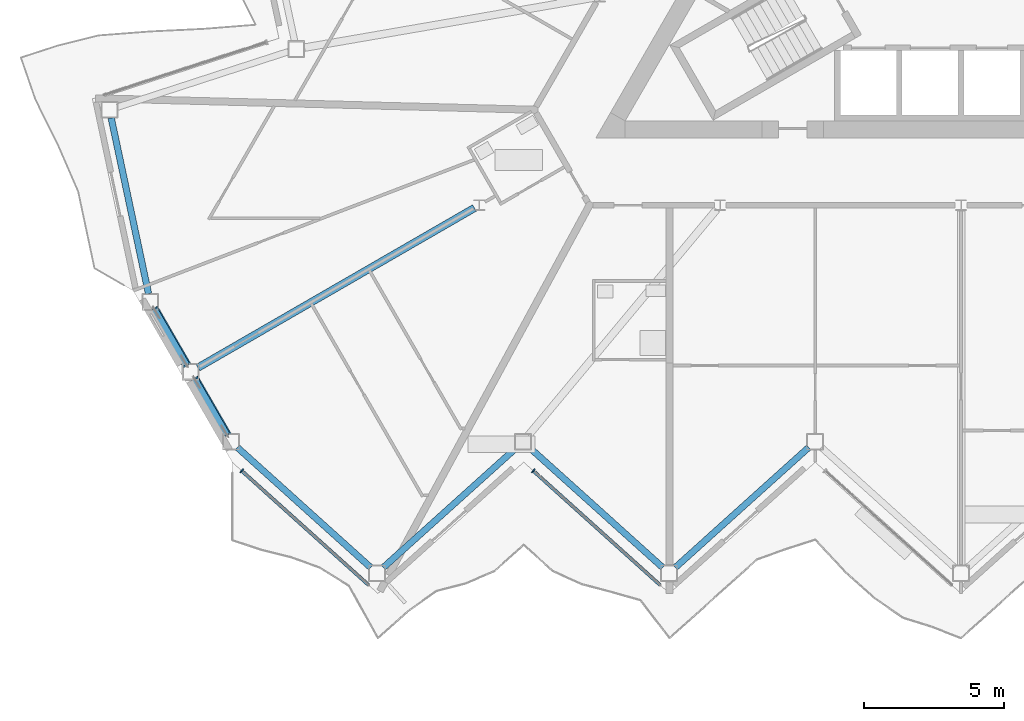
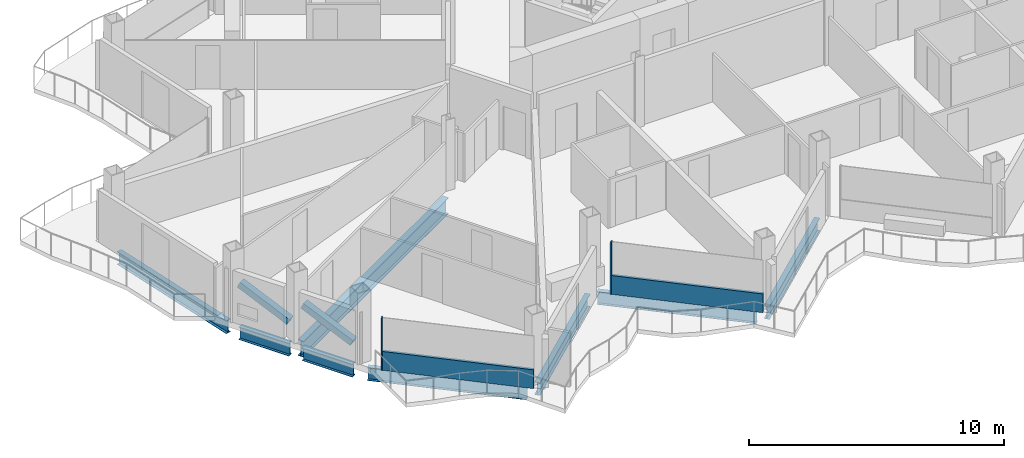
# One storey, part 4 of 28: 8 beams, 6 members, 2 elements without a shape of their own.
"""IFC4 building model written with IfcOpenShell, lengths in metres."""

from ifc_helpers import new_model, si_unit, direction, frame, origin, origin_2d, place, context, subcontext, project, spatial, rectangle, hollow_rectangle, i_section, extrude, material, layer, layer_set, material_profile, profile_set, type_object, element, aggregate, save


model = new_model("IFC4")

# Units and contexts
model_context = context("Model", 3, precision=1e-05, world=origin(), true_north=direction((0.0, 1.0)))
body_context = subcontext(model_context, "Body", "Model", "MODEL_VIEW")
ifc_project = project(units=[si_unit("LENGTHUNIT", "METRE"), si_unit("AREAUNIT", "SQUARE_METRE"), si_unit("VOLUMEUNIT", "CUBIC_METRE"), si_unit("PLANEANGLEUNIT", "RADIAN"), si_unit("MASSUNIT", "GRAM", prefix="KILO")], contexts=[model_context])

# Site, building, storey
site_placement = place(None, origin())
site = spatial("IfcSite", under=ifc_project, at=site_placement, CompositionType="ELEMENT")
building_placement = place(site_placement, origin())
building = spatial("IfcBuilding", under=site, at=building_placement, Name="Cormorant Prow Tower", CompositionType="ELEMENT")
storey_placement = place(building_placement, frame((0.0, 0.0, 308.60009765625)))
storey = spatial("IfcBuildingStorey", under=building, at=storey_placement, Name="L67", CompositionType="ELEMENT", Elevation=308.60009765625)

# Members
ifc_material_1 = material(Name="Structural steel ASTM A500 Gr C", Category="steel")
ifc_material_profile_1 = material_profile(ifc_material_1, hollow_rectangle(XDim=0.3046875, YDim=0.3046875, WallThickness=0.01171875, at=origin_2d()), Name="HSS12x12x1/2")
ifc_profile_set_1 = profile_set([ifc_material_profile_1], Name="Structural steel ASTM A500 Gr C")
member_type_1 = type_object("IfcMemberType", Name="Chamfer brace HSS12x12x1/2", PredefinedType="BRACE", material=ifc_profile_set_1)
for number, where, z_axis, x_axis, name in (
    (1, (-27.589599609375, -15.5654296875, 0.740966796875), (-0.456247183882, 0.790292391402, 0.408994429415), (-0.866038851724, -0.499976706761, 0.0), "Chamfer brace BR3 at WSW00 L67"),
    (2, (-26.15283203125, -18.05419921875, 0.740966796875), (-0.456247183882, 0.790292391402, 0.408994429415), (-0.866038851724, -0.499976706761, 0.0), "Chamfer brace BR3 at WSW01 L67"),
):
    element("IfcMember", number, at=place(storey_placement, frame(where, z_axis=z_axis, x_axis=x_axis)), inside=storey, type_object=member_type_1, Name=name, PredefinedType="BRACE", context=body_context, shape_type="SweptSolid", body=[
        extrude(hollow_rectangle(XDim=0.3046875, YDim=0.3046875, WallThickness=0.01171875, at=origin_2d()), origin(), (0.0, 0.0, 1.0), 2.459228515625),
    ])

# Beam
ifc_material_2 = material(Name="Structural steel ASTM A992 Gr 50", Category="steel")
ifc_material_profile_2 = material_profile(ifc_material_2, i_section(OverallWidth=0.267822265625, OverallDepth=0.77001953125, WebThickness=0.015625, FlangeThickness=0.025390625, at=origin_2d()), Name="W30x132")
ifc_profile_set_2 = profile_set([ifc_material_profile_2], Name="Structural steel ASTM A992 Gr 50")
beam_type_1 = type_object("IfcBeamType", Name="Radial floor beam W30x132", PredefinedType="BEAM", material=ifc_profile_set_2)
beam_1_placement = place(storey_placement, frame((-17.328125, -10.00439453125, -0.68505859375), z_axis=(-0.866024637028, -0.500001328059, 0.0), x_axis=(0.500001328059, -0.866024637028, 0.0)))
element("IfcBeam", 3, at=beam_1_placement, inside=storey, type_object=beam_type_1, Name="Radial floor beam FB3 5 L67", PredefinedType="BEAM", context=body_context, shape_type="SweptSolid", body=[
    extrude(i_section(OverallWidth=0.267822265625, OverallDepth=0.77001953125, WebThickness=0.015625, FlangeThickness=0.025390625, at=origin_2d()), origin(), (0.0, 0.0, 1.0), 11.3671875),
])

# Curtain wall, member
ifc_material_3 = material(Name="Aluminium 6063-T6", Category="aluminium")
ifc_layer = layer(ifc_material_3, 0.159912109375)
ifc_layer_set = layer_set([ifc_layer], Name="Aluminium 6063-T6")
curtain_wall_type = type_object("IfcCurtainWallType", Name="Residential unitised curtain wall 160", PredefinedType="NOTDEFINED", material=ifc_layer_set)
curtain_wall_1_placement = place(storey_placement, origin())
curtain_wall_1 = element("IfcCurtainWall", 4, at=curtain_wall_1_placement, inside=storey, type_object=curtain_wall_type, Name="Residential curtain wall S00", PredefinedType="NOTDEFINED")
ifc_material_4 = material(Name="Aluminium 6063-T6", Category="aluminium")
ifc_material_profile_3 = material_profile(ifc_material_4, rectangle(XDim=0.159912109375, YDim=0.050048828125, at=origin_2d()), Name="Residential mullion 50x160")
ifc_profile_set_3 = profile_set([ifc_material_profile_3], Name="Aluminium 6063-T6")
member_type_2 = type_object("IfcMemberType", Name="Residential mullion 50x160", PredefinedType="MULLION", material=ifc_profile_set_3)
member_1_placement = place(storey_placement, frame((-25.613525390625, -19.362060546875, 0.0), z_axis=(0.0, 0.0, 1.0), x_axis=(0.669130584997, 0.743144844712, 0.0)))
member_1 = element("IfcMember", 5, at=member_1_placement, type_object=member_type_2, Name="Residential mullion S00", PredefinedType="MULLION", context=body_context, shape_type="SweptSolid", body=[
    extrude(rectangle(XDim=0.159912109375, YDim=0.050048828125, at=origin_2d()), origin(), (0.0, 0.0, 1.0), 2.48779296875),
])

curtain_wall_2_placement = place(storey_placement, origin())
curtain_wall_2 = element("IfcCurtainWall", 6, at=curtain_wall_2_placement, inside=storey, type_object=curtain_wall_type, Name="Residential curtain wall S02", PredefinedType="NOTDEFINED")
member_2_placement = place(storey_placement, frame((-15.231689453125, -19.362060546875, 0.0), z_axis=(0.0, 0.0, 1.0), x_axis=(0.669130584997, 0.743144844712, 0.0)))
member_2 = element("IfcMember", 7, at=member_2_placement, type_object=member_type_2, Name="Residential mullion S02", PredefinedType="MULLION", context=body_context, shape_type="SweptSolid", body=[
    extrude(rectangle(XDim=0.159912109375, YDim=0.050048828125, at=origin_2d()), origin(), (0.0, 0.0, 1.0), 2.48779296875),
])

# Member
ifc_material_5 = material(Name="Terracotta", Category="masonry")
ifc_material_profile_4 = material_profile(ifc_material_5, rectangle(XDim=0.1201171875, YDim=0.89990234375, at=origin_2d()), Name="Residential terracotta spandrel rail 120x900")
ifc_profile_set_4 = profile_set([ifc_material_profile_4], Name="Terracotta")
member_type_3 = type_object("IfcMemberType", Name="Residential terracotta spandrel rail 120x900", PredefinedType="USERDEFINED", material=ifc_profile_set_4)
member_3_placement = place(storey_placement, frame((-25.594970703125, -19.37890625, 0.449951171875), z_axis=(0.74315806971, -0.669115896856, 0.0), x_axis=(0.669115896856, 0.74315806971, 0.0)))
member_3 = element("IfcMember", 8, at=member_3_placement, type_object=member_type_3, Name="Residential spandrel rail S00", ObjectType="TRANSOM", PredefinedType="USERDEFINED", context=body_context, shape_type="SweptSolid", body=[
    extrude(rectangle(XDim=0.1201171875, YDim=0.89990234375, at=origin_2d()), origin(), (0.0, 0.0, 1.0), 6.067138671875),
])

aggregate(curtain_wall_1, [member_1, member_3])

member_4_placement = place(storey_placement, frame((-15.213134765625, -19.37890625, 0.449951171875), z_axis=(0.74315806971, -0.669115896856, 0.0), x_axis=(0.669115896856, 0.74315806971, 0.0)))
member_4 = element("IfcMember", 9, at=member_4_placement, type_object=member_type_3, Name="Residential spandrel rail S02", ObjectType="TRANSOM", PredefinedType="USERDEFINED", context=body_context, shape_type="SweptSolid", body=[
    extrude(rectangle(XDim=0.1201171875, YDim=0.89990234375, at=origin_2d()), origin(), (0.0, 0.0, 1.0), 6.067138671875),
])

aggregate(curtain_wall_2, [member_2, member_4])

# Beams
ifc_material_6 = material(Name="Structural steel ASTM A992 Gr 50", Category="steel")
ifc_material_profile_5 = material_profile(ifc_material_6, i_section(OverallWidth=0.22900390625, OverallDepth=0.612060546875, WebThickness=0.011962890625, FlangeThickness=0.01953125, at=origin_2d()), Name="W24x84")
ifc_profile_set_5 = profile_set([ifc_material_profile_5], Name="Structural steel ASTM A992 Gr 50")
beam_type_2 = type_object("IfcBeamType", Name="Spandrel beam W24x84", PredefinedType="SPANDREL", material=ifc_profile_set_5)
beam_2_placement = place(storey_placement, frame((-25.7724609375, -18.527587890625, -0.606201171875), z_axis=(0.743144186555, -0.669131315954, 0.0), x_axis=(0.669131315954, 0.743144186555, 0.0)))
element("IfcBeam", 10, at=beam_2_placement, inside=storey, type_object=beam_type_2, Name="Spandrel beam SB3 S00-S01 L67", PredefinedType="SPANDREL", context=body_context, shape_type="SweptSolid", body=[
    extrude(i_section(OverallWidth=0.22900390625, OverallDepth=0.612060546875, WebThickness=0.011962890625, FlangeThickness=0.01953125, at=origin_2d()), origin(), (0.0, 0.0, 1.0), 6.39599609375),
])
beam_3_placement = place(storey_placement, frame((-20.573486328125, -22.807373046875, -0.606201171875), z_axis=(0.743161276225, 0.669112335502, 0.0), x_axis=(-0.669112335502, 0.743161276225, 0.0)))
element("IfcBeam", 11, at=beam_3_placement, inside=storey, type_object=beam_type_2, Name="Spandrel beam SB3 S01-S02 L67", PredefinedType="SPANDREL", context=body_context, shape_type="SweptSolid", body=[
    extrude(i_section(OverallWidth=0.22900390625, OverallDepth=0.612060546875, WebThickness=0.011962890625, FlangeThickness=0.01953125, at=origin_2d()), origin(), (0.0, 0.0, 1.0), 6.396240234375),
])
for number, where, z_axis, x_axis, name in (
    (12, (-15.374267578125, -18.527587890625, -0.606201171875), (0.743144186555, -0.669131315954, 0.0), (0.669131315954, 0.743144186555, 0.0), "Spandrel beam SB3 S02-S03 L67"),
    (13, (-10.17529296875, -22.807373046875, -0.606201171875), (0.743144186555, 0.669131315954, 0.0), (-0.669131315954, 0.743144186555, 0.0), "Spandrel beam SB3 S03-S04 L67"),
):
    element("IfcBeam", number, at=place(storey_placement, frame(where, z_axis=z_axis, x_axis=x_axis)), inside=storey, type_object=beam_type_2, Name=name, PredefinedType="SPANDREL", context=body_context, shape_type="SweptSolid", body=[
        extrude(i_section(OverallWidth=0.22900390625, OverallDepth=0.612060546875, WebThickness=0.011962890625, FlangeThickness=0.01953125, at=origin_2d()), origin(), (0.0, 0.0, 1.0), 6.39599609375),
    ])
beam_4_placement = place(storey_placement, frame((-30.261474609375, -6.799560546875, -0.606201171875), z_axis=(0.20791262393, -0.978147402394, 0.0), x_axis=(0.978147402394, 0.20791262393, 0.0)))
element("IfcBeam", 14, at=beam_4_placement, inside=storey, type_object=beam_type_2, Name="Spandrel beam SB3 WNW09-WSW00 L67", PredefinedType="SPANDREL", context=body_context, shape_type="SweptSolid", body=[
    extrude(i_section(OverallWidth=0.22900390625, OverallDepth=0.612060546875, WebThickness=0.011962890625, FlangeThickness=0.01953125, at=origin_2d()), origin(), (0.0, 0.0, 1.0), 6.396240234375),
])
beam_5_placement = place(storey_placement, frame((-28.71923828125, -13.609130859375, -0.606201171875), z_axis=(0.500053962254, -0.865994246421, 0.0), x_axis=(0.865994246421, 0.500053962254, 0.0)))
element("IfcBeam", 15, at=beam_5_placement, inside=storey, type_object=beam_type_2, Name="Spandrel beam SB3 WSW00-WSW01 L67", PredefinedType="SPANDREL", context=body_context, shape_type="SweptSolid", body=[
    extrude(i_section(OverallWidth=0.22900390625, OverallDepth=0.612060546875, WebThickness=0.011962890625, FlangeThickness=0.01953125, at=origin_2d()), origin(), (0.0, 0.0, 1.0), 2.273681640625),
])
beam_6_placement = place(storey_placement, frame((-27.2822265625, -16.097900390625, -0.606201171875), z_axis=(0.49997342893, -0.866040744055, 0.0), x_axis=(0.866040744055, 0.49997342893, 0.0)))
element("IfcBeam", 16, at=beam_6_placement, inside=storey, type_object=beam_type_2, Name="Spandrel beam SB3 WSW01-S00 L67", PredefinedType="SPANDREL", context=body_context, shape_type="SweptSolid", body=[
    extrude(i_section(OverallWidth=0.22900390625, OverallDepth=0.612060546875, WebThickness=0.011962890625, FlangeThickness=0.01953125, at=origin_2d()), origin(), (0.0, 0.0, 1.0), 2.2734375),
])

save(model, "model.ifc")
